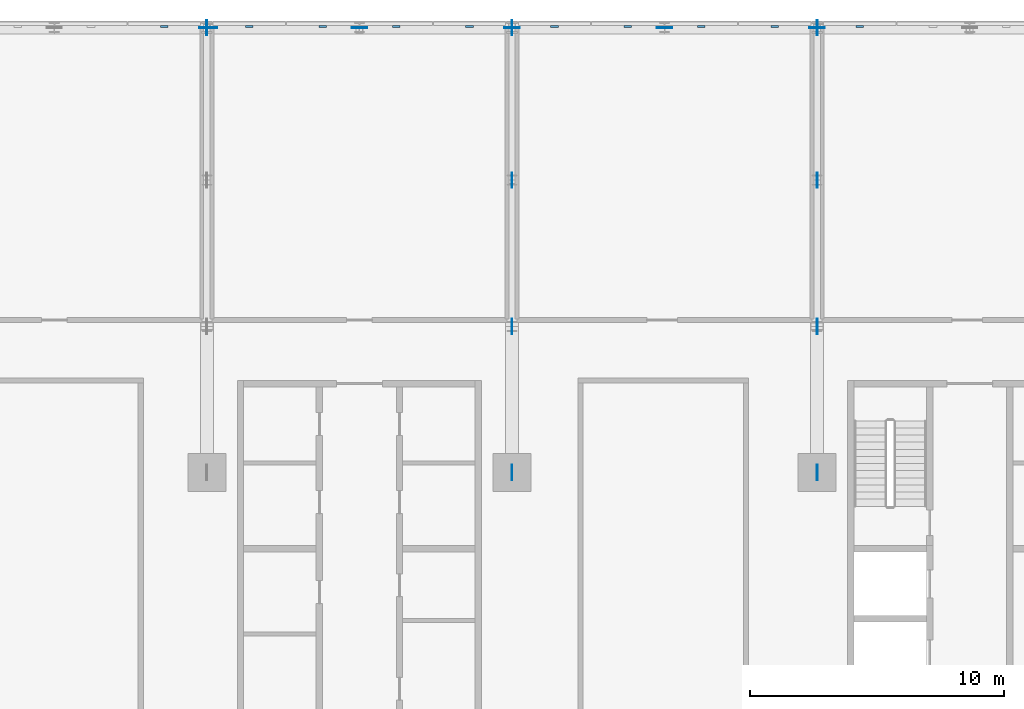
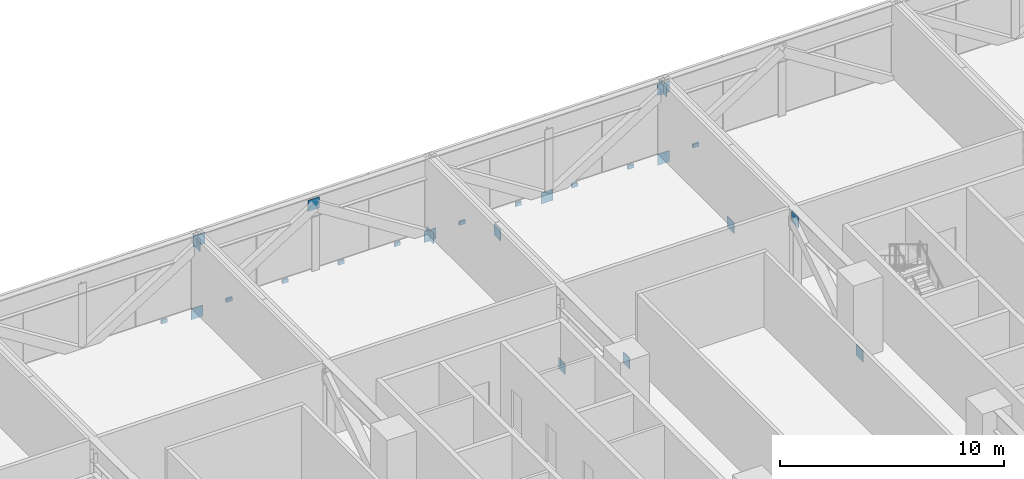
# One storey, part 18 of 26: 26 discrete accessories.
"""IFC4 building model written with IfcOpenShell, lengths in metres."""

from ifc_helpers import new_model, si_unit, direction, frame, origin, origin_2d, place, context, subcontext, project, spatial, rectangle, extrude, material, layer, layer_set, type_object, element, save


model = new_model("IFC4")

# Units and contexts
model_context = context("Model", 3, precision=1e-05, world=origin(), true_north=direction((0.0, 1.0)))
body_context = subcontext(model_context, "Body", "Model", "MODEL_VIEW")
ifc_project = project(units=[si_unit("LENGTHUNIT", "METRE"), si_unit("AREAUNIT", "SQUARE_METRE"), si_unit("VOLUMEUNIT", "CUBIC_METRE"), si_unit("PLANEANGLEUNIT", "RADIAN"), si_unit("MASSUNIT", "GRAM", prefix="KILO")], contexts=[model_context])

# Site, building, storey
site_placement = place(None, origin())
site = spatial("IfcSite", under=ifc_project, at=site_placement, CompositionType="ELEMENT")
building_placement = place(site_placement, origin())
building = spatial("IfcBuilding", under=site, at=building_placement, Name="Mahtab Terrace Research Tower", CompositionType="ELEMENT")
storey_placement = place(building_placement, frame((0.0, 0.0, 80.39990234375)))
storey = spatial("IfcBuildingStorey", under=building, at=storey_placement, Name="L18", CompositionType="ELEMENT", Elevation=80.39990234375)

# Discrete accessories
ifc_material_1 = material(Name="Black anodised aluminium", Category="aluminium")
discrete_accessory_type_1 = type_object("IfcDiscreteAccessoryType", Name="Facade bracket", PredefinedType="BRACKET", material=ifc_material_1)
for number, where, z_axis, x_axis, name in (
    (1, (19.6708984375, 29.044921875, -0.2998046875), (0.0, 0.0, 1.0), (-1.0, 0.0, 0.0), "Louvre bracket L18 16"),
    (2, (16.3291015625, 29.044921875, -0.2998046875), (0.0, 0.0, 1.0), (-1.0, 0.0, 0.0), "Louvre bracket L18 17"),
    (3, (13.443115234375, 29.044921875, -0.2998046875), (0.0, 0.0, 1.0), (-1.0, 0.0, 0.0), "Louvre bracket L18 18"),
    (4, (10.556884765625, 29.044921875, -0.2998046875), (0.0, 0.0, 1.0), (-1.0, 0.0, 0.0), "Louvre bracket L18 19"),
    (5, (7.6708984375, 29.044921875, -0.2998046875), (0.0, 0.0, 1.0), (-1.0, 0.0, 0.0), "Louvre bracket L18 20"),
    (6, (4.3291015625, 29.044921875, -0.2998046875), (0.0, 0.0, 1.0), (-1.0, 0.0, 0.0), "Louvre bracket L18 21"),
    (7, (1.443115234375, 29.044921875, -0.2998046875), (0.0, 0.0, 1.0), (-1.0, 0.0, 0.0), "Louvre bracket L18 22"),
    (8, (-1.443115234375, 29.044921875, -0.2998046875), (0.0, 0.0, 1.0), (-1.0, 0.0, 0.0), "Louvre bracket L18 23"),
    (9, (-4.3291015625, 29.044921875, -0.2998046875), (0.0, 0.0, 1.0), (-1.0, 0.0, 0.0), "Louvre bracket L18 24"),
    (10, (-7.6708984375, 29.044921875, -0.2998046875), (0.0, 0.0, 1.0), (-1.0, 0.0, 0.0), "Louvre bracket L18 25"),
):
    element("IfcDiscreteAccessory", number, at=place(storey_placement, frame(where, z_axis=z_axis, x_axis=x_axis)), inside=storey, type_object=discrete_accessory_type_1, Name=name, PredefinedType="BRACKET", context=body_context, shape_type="SweptSolid", body=[
        extrude(rectangle(XDim=0.300048828125, YDim=0.090087890625, at=origin_2d()), origin(), (0.0, 0.0, 1.0), 0.199951171875),
    ])
ifc_material_2 = material(Name="Steel ASTM A992 Gr 50", Category="steel")
ifc_layer = layer(ifc_material_2, 0.030029296875)
ifc_layer_set = layer_set([ifc_layer], Name="Gusset plate 600x600x30")
discrete_accessory_type_2 = type_object("IfcDiscreteAccessoryType", Name="Gusset plate 600x600x30", PredefinedType="USERDEFINED", material=ifc_layer_set)
for number, where, z_axis, x_axis, name in (
    (11, (-6.0, 29.0, -0.593505859375), (0.0, 0.0, 1.0), (1.0, 0.0, 0.0), "Gusset plate"),
    (12, (-5.895263671875, 29.0, 3.3271484375), (0.0, 0.0, 1.0), (1.0, 0.0, 0.0), "Gusset plate"),
    (13, (0.0, 29.0, 3.201171875), (0.0, 0.0, 1.0), (1.0, 0.0, 0.0), "Gusset plate"),
    (14, (6.0, 29.0, -0.593505859375), (0.0, 0.0, 1.0), (1.0, 0.0, 0.0), "Gusset plate"),
    (15, (12.0, 29.0, -0.593505859375), (0.0, 0.0, 1.0), (1.0, 0.0, 0.0), "Gusset plate"),
    (16, (18.0, 29.0, -0.593505859375), (0.0, 0.0, 1.0), (1.0, 0.0, 0.0), "Gusset plate"),
    (17, (18.0, 29.0, 3.201171875), (0.0, 0.0, 1.0), (1.0, 0.0, 0.0), "Gusset plate"),
    (18, (-6.0, 29.0, 3.201171875), (0.0, 0.0, 1.0), (0.0, 1.0, 0.0), "Gusset plate"),
    (19, (6.0, 11.5, 3.201171875), (0.0, 0.0, 1.0), (0.0, 1.0, 0.0), "Gusset plate"),
    (20, (6.0, 17.25, -0.593505859375), (0.0, 0.0, 1.0), (0.0, 1.0, 0.0), "Gusset plate"),
    (21, (6.0, 23.0, 3.201171875), (0.0, 0.0, 1.0), (0.0, 1.0, 0.0), "Gusset plate"),
    (22, (6.0, 29.0, -0.593505859375), (0.0, 0.0, 1.0), (0.0, 1.0, 0.0), "Gusset plate"),
    (23, (18.0, 11.5, -0.593505859375), (0.0, 0.0, 1.0), (0.0, 1.0, 0.0), "Gusset plate"),
    (24, (18.0, 17.25, 3.201171875), (0.0, 0.0, 1.0), (0.0, 1.0, 0.0), "Gusset plate"),
    (25, (18.0, 23.0, -0.593505859375), (0.0, 0.0, 1.0), (0.0, 1.0, 0.0), "Gusset plate"),
    (26, (18.0, 29.0, 3.201171875), (0.0, 0.0, 1.0), (0.0, 1.0, 0.0), "Gusset plate"),
):
    element("IfcDiscreteAccessory", number, at=place(storey_placement, frame(where, z_axis=z_axis, x_axis=x_axis)), inside=storey, type_object=discrete_accessory_type_2, Name=name, ObjectType="GUSSET PLATE", PredefinedType="USERDEFINED", context=body_context, shape_type="SweptSolid", body=[
        extrude(rectangle(XDim=0.60009765625, YDim=0.030029296875, at=origin_2d()), origin(), (0.0, 0.0, 1.0), 0.60009765625),
    ])

save(model, "model.ifc")
